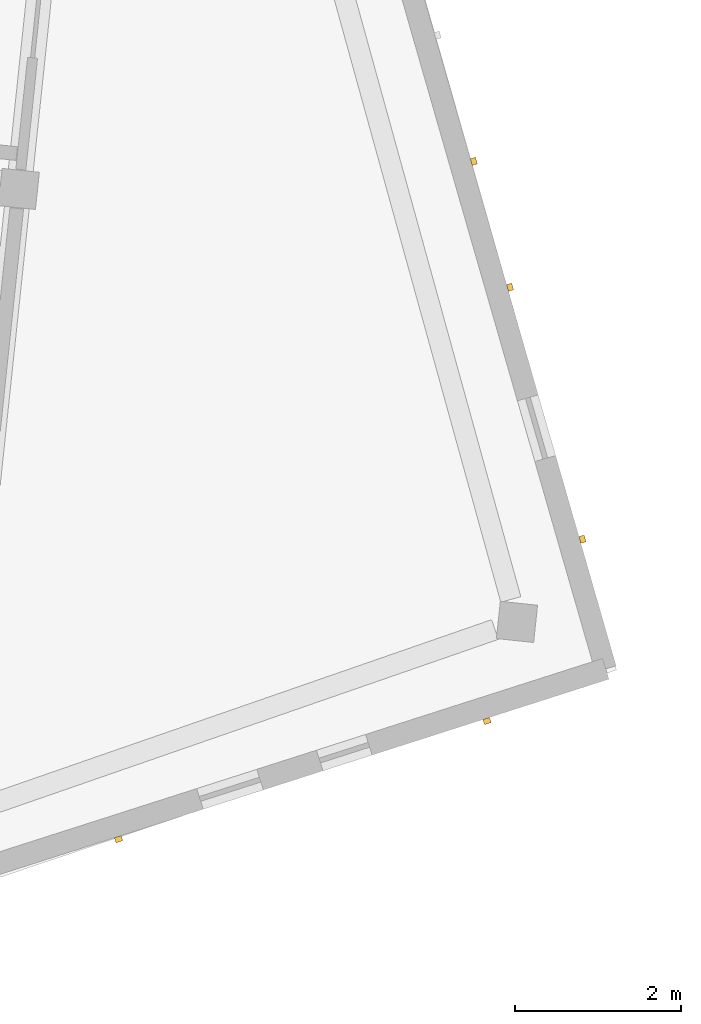
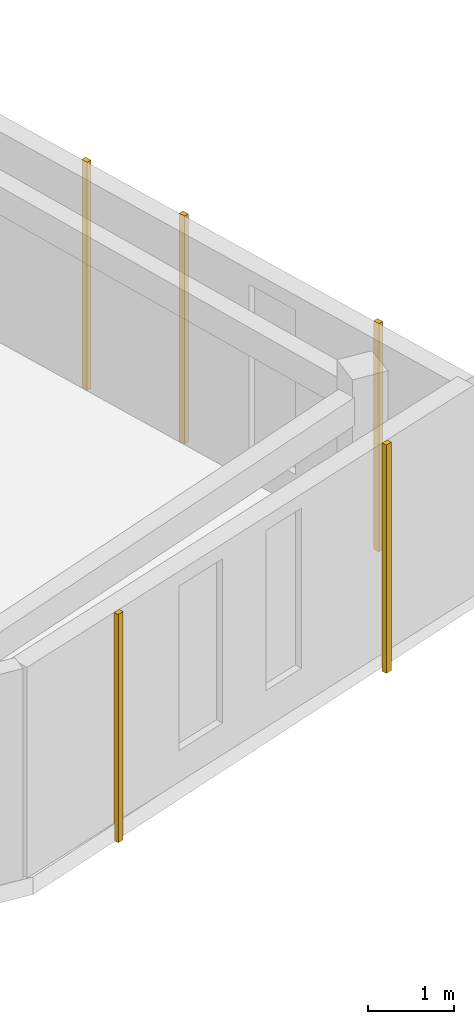
# One storey, part 62 of 64: 5 coverings.
"""IFC4 building model written with IfcOpenShell, lengths in metres."""

from ifc_helpers import new_model, si_unit, direction, frame, origin, origin_2d, place, context, subcontext, project, spatial, rectangle, extrude, material, layer, layer_set, type_object, element, save


model = new_model("IFC4")

# Units and contexts
model_context = context("Model", 3, precision=1e-05, world=origin(), true_north=direction((0.0, 1.0)))
body_context = subcontext(model_context, "Body", "Model", "MODEL_VIEW")
ifc_project = project(units=[si_unit("LENGTHUNIT", "METRE"), si_unit("AREAUNIT", "SQUARE_METRE"), si_unit("VOLUMEUNIT", "CUBIC_METRE"), si_unit("PLANEANGLEUNIT", "RADIAN"), si_unit("MASSUNIT", "GRAM", prefix="KILO")], contexts=[model_context])

# Site, building, storey
site_placement = place(None, origin())
site = spatial("IfcSite", under=ifc_project, at=site_placement, CompositionType="ELEMENT")
building_placement = place(site_placement, origin())
building = spatial("IfcBuilding", under=site, at=building_placement, Name="Kestramere Prow Commons", CompositionType="ELEMENT")
storey_placement = place(building_placement, frame((0.0, 0.0, 24.64990234375)))
storey = spatial("IfcBuildingStorey", under=building, at=storey_placement, Name="L07", CompositionType="ELEMENT", Elevation=24.64990234375)

# Coverings
ifc_material = material(Name="Weathered Zinc-Titanium Standing-Seam Cladding")
ifc_layer = layer(ifc_material, 0.074951171875)
ifc_layer_set = layer_set([ifc_layer], Name="Weathered Zinc-Titanium Standing-Seam Cladding")
covering_type = type_object("IfcCoveringType", Name="COV-CLAD-SEAM", PredefinedType="CLADDING", material=ifc_layer_set)
for number, where, z_axis, x_axis, name in (
    (1, (164.001708984375, 97.673583984375, -0.25), (0.0, 0.0, 1.0), (0.27631844013, -0.961066136977, 0.0), "EW-B-L07-PRW-N Standing-Seam Rib 8"),
    (2, (164.437255859375, 96.159423828125, -0.25), (0.0, 0.0, 1.0), (0.27631844013, -0.961066136977, 0.0), "EW-B-L07-PRW-N Standing-Seam Rib 9"),
    (3, (165.307861328125, 93.131103515625, -0.25), (0.0, 0.0, 1.0), (0.27631844013, -0.961066136977, 0.0), "EW-B-L07-PRW-N Standing-Seam Rib 11"),
    (4, (164.16015625, 90.94384765625, -0.25), (0.0, 0.0, 1.0), (-0.952283464374, -0.305215011884, 0.0), "EW-B-L07-PRW-S Standing-Seam Rib 1"),
    (5, (159.73046875, 89.524169921875, -0.25), (0.0, 0.0, 1.0), (-0.952283464374, -0.305215011884, 0.0), "EW-B-L07-PRW-S Standing-Seam Rib 4"),
):
    element("IfcCovering", number, at=place(storey_placement, frame(where, z_axis=z_axis, x_axis=x_axis)), inside=storey, type_object=covering_type, Name=name, PredefinedType="CLADDING", context=body_context, shape_type="SweptSolid", body=[
        extrude(rectangle(XDim=0.0849609375, YDim=0.06494140625, at=origin_2d()), origin(), (0.0, 0.0, 1.0), 3.25),
    ])

save(model, "model.ifc")
